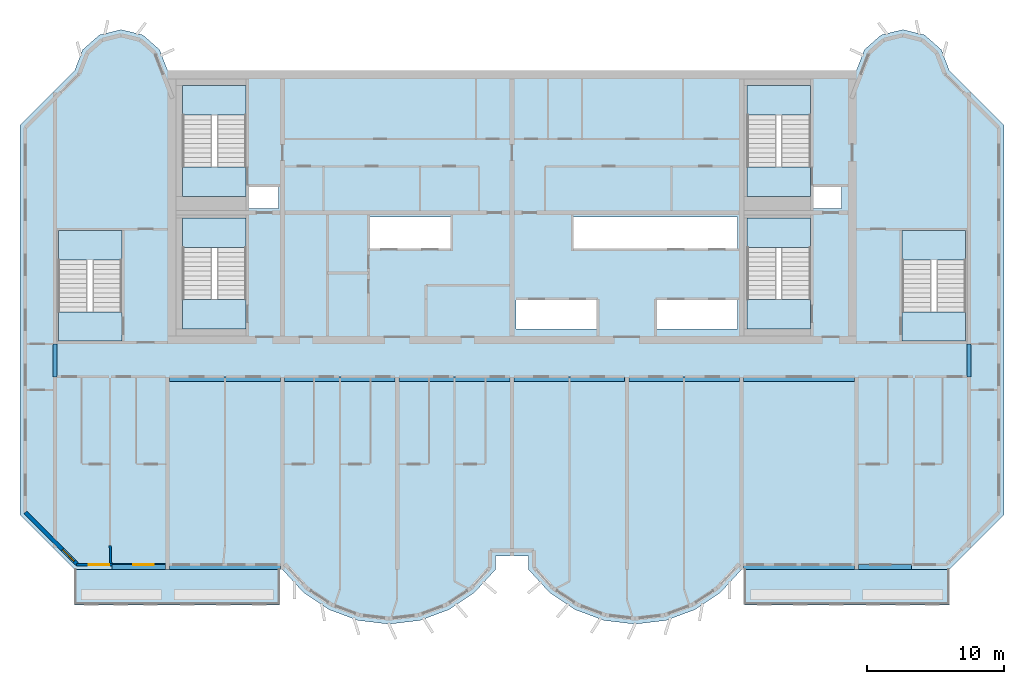
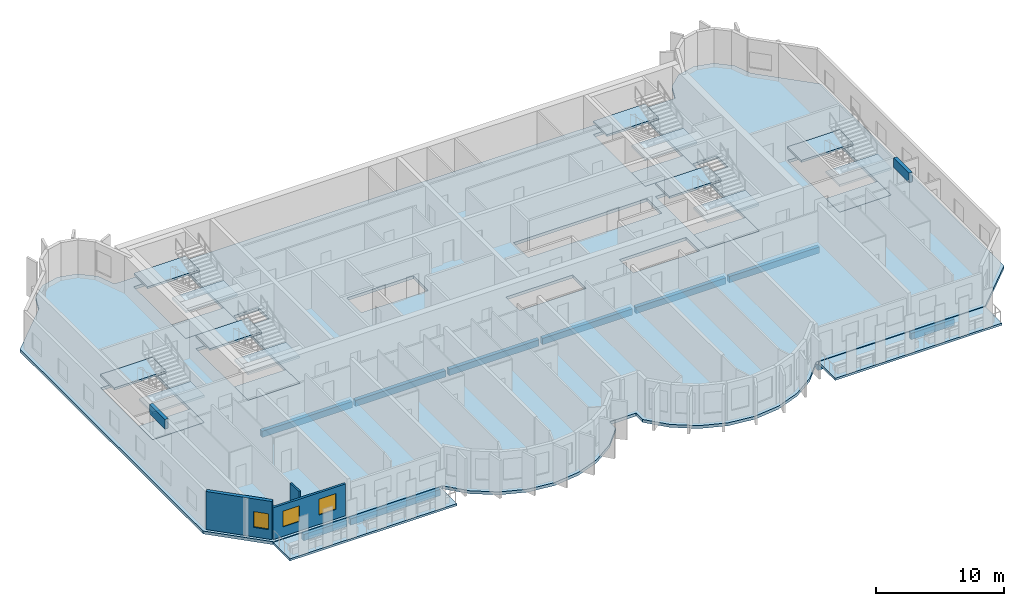
# One storey, part 1 of 11: 21 slabs, 12 beams, 3 walls, 3 windows, 3 openings, 6 elements without a shape of their own.
"""IFC4 building model written with IfcOpenShell, lengths in metres."""

from ifc_helpers import new_model, si_unit, direction, frame, frame_2d, origin, origin_2d, place, context, subcontext, project, spatial, polyline, rectangle, outline, extrude, source, transform, mapped, material, layer, layer_set, material_profile, profile_set, type_object, element, fill, aggregate, save


model = new_model("IFC4")

# Units and contexts
model_context = context("Model", 3, precision=1e-05, world=origin(), true_north=direction((0.0, 1.0)))
body_context = subcontext(model_context, "Body", "Model", "MODEL_VIEW")
ifc_project = project(units=[si_unit("LENGTHUNIT", "METRE"), si_unit("AREAUNIT", "SQUARE_METRE"), si_unit("VOLUMEUNIT", "CUBIC_METRE"), si_unit("PLANEANGLEUNIT", "RADIAN"), si_unit("MASSUNIT", "GRAM", prefix="KILO")], contexts=[model_context])

# Site, building, storey
site_placement = place(None, origin())
site = spatial("IfcSite", under=ifc_project, at=site_placement, CompositionType="ELEMENT")
building_placement = place(site_placement, origin())
building = spatial("IfcBuilding", under=site, at=building_placement, Name="Vanashikhar Sky Hotel", CompositionType="ELEMENT")
storey_placement = place(building_placement, frame((0.0, 0.0, 245.199951171875)))
storey = spatial("IfcBuildingStorey", under=building, at=storey_placement, Name="L59", CompositionType="ELEMENT", Elevation=245.199951171875)

# Beams
ifc_material_1 = material(Name="Concrete M50", Category="concrete")
ifc_material_profile_1 = material_profile(ifc_material_1, rectangle(XDim=0.300048828125, YDim=0.89990234375, at=origin_2d()))
ifc_profile_set_1 = profile_set([ifc_material_profile_1], Name="RC 300x900 beam Concrete M50")
beam_type_1 = type_object("IfcBeamType", Name="RC 300x900 beam Concrete M50", PredefinedType="LINTEL", material=ifc_profile_set_1)
shared_shape_1 = source(origin(), body_context, "Body", "SweptSolid", [
    extrude(rectangle(XDim=0.300048828125, YDim=0.89990234375, at=origin_2d()), origin(), (0.0, 0.0, 1.0), 2.39990234375),
])
for number, where, z_axis, x_axis, name in (
    (1, (16.949951171875, 19.60009765625, 3.170166015625), (0.0, 1.0, 0.0), (-1.0, 0.0, 0.0), "LB-L59-XW03"),
    (2, (83.85009765625, 19.60009765625, 3.170166015625), (0.0, 1.0, 0.0), (-1.0, 0.0, 0.0), "LB-L59-XW11"),
):
    element("IfcBeam", number, at=place(storey_placement, frame(where, z_axis=z_axis, x_axis=x_axis)), inside=storey, type_object=beam_type_1, Name=name, PredefinedType="LINTEL", context=body_context, shape_type="MappedRepresentation", body=[
        mapped(shared_shape_1, transform((0.0, 0.0, 0.0), scale=1.0)),
    ])
ifc_material_profile_2 = material_profile(ifc_material_1, rectangle(XDim=0.35009765625, YDim=0.60009765625, at=origin_2d()))
ifc_profile_set_2 = profile_set([ifc_material_profile_2], Name="RC 350x600 beam Concrete M50")
beam_type_2 = type_object("IfcBeamType", Name="RC 350x600 beam Concrete M50", PredefinedType="SPANDREL", material=ifc_profile_set_2)
shared_shape_2 = source(origin(), body_context, "Body", "SweptSolid", [
    extrude(rectangle(XDim=0.35009765625, YDim=0.60009765625, at=origin_2d()), origin(), (0.0, 0.0, 1.0), 8.099853515625),
])
for number, where, z_axis, x_axis, name in (
    (3, (25.35009765625, 5.675048828125, -0.579833984375), (1.0, 0.0, 0.0), (0.0, 1.0, 0.0), "EB-L59-F01"),
    (4, (67.35009765625, 5.675048828125, -0.579833984375), (1.0, 0.0, 0.0), (0.0, 1.0, 0.0), "EB-L59-F03"),
    (5, (25.35009765625, 19.425048828125, -0.579833984375), (1.0, 0.0, 0.0), (0.0, 1.0, 0.0), "CB-L59-01"),
    (6, (50.550048828125, 19.425048828125, -0.579833984375), (1.0, 0.0, 0.0), (0.0, 1.0, 0.0), "CB-L59-04"),
    (7, (67.35009765625, 19.425048828125, -0.579833984375), (1.0, 0.0, 0.0), (0.0, 1.0, 0.0), "CB-L59-06"),
):
    element("IfcBeam", number, at=place(storey_placement, frame(where, z_axis=z_axis, x_axis=x_axis)), inside=storey, type_object=beam_type_2, Name=name, PredefinedType="SPANDREL", context=body_context, shape_type="MappedRepresentation", body=[
        mapped(shared_shape_2, transform((0.0, 0.0, 0.0), scale=1.0)),
    ])
ifc_material_profile_3 = material_profile(ifc_material_1, rectangle(XDim=0.35009765625, YDim=0.60009765625, at=origin_2d()))
ifc_profile_set_3 = profile_set([ifc_material_profile_3], Name="RC 350x600 cantilever beam Concrete M50")
beam_type_3 = type_object("IfcBeamType", Name="RC 350x600 cantilever beam Concrete M50", PredefinedType="SPANDREL", material=ifc_profile_set_3)
shared_shape_3 = source(origin(), body_context, "Body", "SweptSolid", [
    extrude(rectangle(XDim=0.35009765625, YDim=0.60009765625, at=origin_2d()), origin(), (0.0, 0.0, 1.0), 3.900146484375),
])
beam_1_placement = place(storey_placement, frame((21.14990234375, 5.675048828125, -0.579833984375), z_axis=(1.0, 0.0, 0.0), x_axis=(0.0, 1.0, 0.0)))
element("IfcBeam", 8, at=beam_1_placement, inside=storey, type_object=beam_type_3, Name="EB-L59-F02", PredefinedType="SPANDREL", context=body_context, shape_type="MappedRepresentation", body=[
    mapped(shared_shape_3, transform((0.0, 0.0, 0.0), scale=1.0)),
])
shared_shape_4 = source(origin(), body_context, "Body", "SweptSolid", [
    extrude(rectangle(XDim=0.35009765625, YDim=0.60009765625, at=origin_2d()), origin(), (0.0, 0.0, 1.0), 3.89990234375),
])
beam_2_placement = place(storey_placement, frame((75.75, 5.675048828125, -0.579833984375), z_axis=(1.0, 0.0, 0.0), x_axis=(0.0, 1.0, 0.0)))
element("IfcBeam", 9, at=beam_2_placement, inside=storey, type_object=beam_type_3, Name="EB-L59-F04", PredefinedType="SPANDREL", context=body_context, shape_type="MappedRepresentation", body=[
    mapped(shared_shape_4, transform((0.0, 0.0, 0.0), scale=1.0)),
])
shared_shape_5 = source(origin(), body_context, "Body", "SweptSolid", [
    extrude(rectangle(XDim=0.35009765625, YDim=0.60009765625, at=origin_2d()), origin(), (0.0, 0.0, 1.0), 8.10009765625),
])
for number, where, z_axis, x_axis, name in (
    (10, (33.75, 19.425048828125, -0.579833984375), (1.0, 0.0, 0.0), (0.0, 1.0, 0.0), "CB-L59-02"),
    (11, (42.14990234375, 19.425048828125, -0.579833984375), (1.0, 0.0, 0.0), (0.0, 1.0, 0.0), "CB-L59-03"),
    (12, (58.949951171875, 19.425048828125, -0.579833984375), (1.0, 0.0, 0.0), (0.0, 1.0, 0.0), "CB-L59-05"),
):
    element("IfcBeam", number, at=place(storey_placement, frame(where, z_axis=z_axis, x_axis=x_axis)), inside=storey, type_object=beam_type_2, Name=name, PredefinedType="SPANDREL", context=body_context, shape_type="MappedRepresentation", body=[
        mapped(shared_shape_5, transform((0.0, 0.0, 0.0), scale=1.0)),
    ])

# Slabs
ifc_material_2 = material(Name="Concrete M40", Category="concrete")
ifc_layer_1 = layer(ifc_material_2, 0.280029296875)
ifc_layer_set_1 = layer_set([ifc_layer_1], Name="Floor slab 280 mm")
slab_type_1 = type_object("IfcSlabType", Name="Floor slab 280 mm", PredefinedType="FLOOR", material=ifc_layer_set_1)
shared_shape_6 = source(origin(), body_context, "Body", "SweptSolid", [
    extrude(outline(polyline([(49.199951171875, 5.5), (49.199951171875, 6.5), (51.60009765625, 6.5), (51.60009765625, 5.5), (53.133056640625, 3.825927734375), (55.01708984375, 2.55810546875), (57.14599609375, 1.76806640625), (59.39990234375, 1.5), (61.654052734375, 1.76806640625), (63.782958984375, 2.55810546875), (65.6669921875, 3.825927734375), (67.199951171875, 5.5), (82.39990234375, 5.5), (86.39990234375, 9.5), (86.39990234375, 38.0), (82.39990234375, 42.0), (81.81494140625, 43.527099609375), (80.587890625, 44.610107421875), (79.0, 45.0), (77.412109375, 44.610107421875), (76.18505859375, 43.527099609375), (75.60009765625, 42.0), (25.199951171875, 42.0), (24.614990234375, 43.527099609375), (23.387939453125, 44.610107421875), (21.800048828125, 45.0), (20.2119140625, 44.610107421875), (18.985107421875, 43.527099609375), (18.39990234375, 42.0), (14.39990234375, 38.0), (14.39990234375, 9.5), (18.39990234375, 5.5), (33.60009765625, 5.5), (35.133056640625, 3.825927734375), (37.01708984375, 2.55810546875), (39.14599609375, 1.76806640625), (41.39990234375, 1.5), (43.654052734375, 1.76806640625), (45.782958984375, 2.55810546875), (47.6669921875, 3.825927734375), (49.199951171875, 5.5)]), holes=[polyline([(33.300048828125, 33.60009765625), (31.050048828125, 33.60009765625), (31.050048828125, 31.89990234375), (33.300048828125, 31.89990234375), (33.300048828125, 33.60009765625)]), polyline([(39.89990234375, 31.300048828125), (39.89990234375, 29.0), (45.89990234375, 29.0), (45.89990234375, 31.300048828125), (39.89990234375, 31.300048828125)]), polyline([(50.699951171875, 25.199951171875), (50.699951171875, 23.10009765625), (56.699951171875, 23.10009765625), (56.699951171875, 25.199951171875), (50.699951171875, 25.199951171875)]), polyline([(66.89990234375, 29.0), (66.89990234375, 31.300048828125), (54.89990234375, 31.300048828125), (54.89990234375, 29.0), (66.89990234375, 29.0)]), polyline([(60.89990234375, 25.199951171875), (60.89990234375, 23.10009765625), (66.89990234375, 23.10009765625), (66.89990234375, 25.199951171875), (60.89990234375, 25.199951171875)]), polyline([(74.5, 33.60009765625), (72.35009765625, 33.60009765625), (72.35009765625, 31.89990234375), (74.5, 31.89990234375), (74.5, 33.60009765625)]), polyline([(30.949951171875, 23.10009765625), (30.949951171875, 31.199951171875), (26.300048828125, 31.199951171875), (26.300048828125, 23.10009765625), (30.949951171875, 23.10009765625)]), polyline([(72.25, 23.10009765625), (72.25, 31.199951171875), (67.60009765625, 31.199951171875), (67.60009765625, 23.10009765625), (72.25, 23.10009765625)]), polyline([(30.949951171875, 32.800048828125), (30.949951171875, 40.89990234375), (26.300048828125, 40.89990234375), (26.300048828125, 32.800048828125), (30.949951171875, 32.800048828125)]), polyline([(72.25, 32.800048828125), (72.25, 40.89990234375), (67.60009765625, 40.89990234375), (67.60009765625, 32.800048828125), (72.25, 32.800048828125)]), polyline([(83.60009765625, 22.199951171875), (83.60009765625, 30.300048828125), (78.949951171875, 30.300048828125), (78.949951171875, 22.199951171875), (83.60009765625, 22.199951171875)]), polyline([(21.85009765625, 22.199951171875), (21.85009765625, 30.300048828125), (17.199951171875, 30.300048828125), (17.199951171875, 22.199951171875), (21.85009765625, 22.199951171875)])]), origin(), (0.0, 0.0, 1.0), 0.280029296875),
])
slab_1_placement = place(storey_placement, frame((0.0, 0.0, -0.280029296875)))
element("IfcSlab", 13, at=slab_1_placement, inside=storey, type_object=slab_type_1, Name="Floor slab L59", PredefinedType="FLOOR", context=body_context, shape_type="MappedRepresentation", body=[
    mapped(shared_shape_6, transform((0.0, 0.0, 0.0), scale=1.0)),
])
ifc_layer_2 = layer(ifc_material_2, 0.199951171875)
ifc_layer_set_2 = layer_set([ifc_layer_2], Name="Balcony slab 200 mm")
slab_type_2 = type_object("IfcSlabType", Name="Balcony slab 200 mm", PredefinedType="USERDEFINED", material=ifc_layer_set_2)
shared_shape_7 = source(origin(), body_context, "Body", "SweptSolid", [
    extrude(outline(polyline([(18.39990234375, 2.89990234375), (33.39990234375, 2.89990234375), (33.39990234375, 5.5), (18.39990234375, 5.5), (18.39990234375, 2.89990234375)])), origin(), (0.0, 0.0, 1.0), 0.199951171875),
])
slab_2_placement = place(storey_placement, frame((0.0, 0.0, -0.25)))
element("IfcSlab", 14, at=slab_2_placement, inside=storey, type_object=slab_type_2, Name="Balcony slab L59 1", ObjectType="BALCONY", PredefinedType="USERDEFINED", context=body_context, shape_type="MappedRepresentation", body=[
    mapped(shared_shape_7, transform((0.0, 0.0, 0.0), scale=1.0)),
])
shared_shape_8 = source(origin(), body_context, "Body", "SweptSolid", [
    extrude(outline(polyline([(67.39990234375, 2.89990234375), (82.39990234375, 2.89990234375), (82.39990234375, 5.5), (67.39990234375, 5.5), (67.39990234375, 2.89990234375)])), origin(), (0.0, 0.0, 1.0), 0.199951171875),
])
slab_3_placement = place(storey_placement, frame((0.0, 0.0, -0.25)))
element("IfcSlab", 15, at=slab_3_placement, inside=storey, type_object=slab_type_2, Name="Balcony slab L59 2", ObjectType="BALCONY", PredefinedType="USERDEFINED", context=body_context, shape_type="MappedRepresentation", body=[
    mapped(shared_shape_8, transform((0.0, 0.0, 0.0), scale=1.0)),
])

# Stair, slabs
stair_type = type_object("IfcStairType", Name="Exit stair 2150", PredefinedType="DOUBLE_RETURN_STAIR", material=ifc_material_2)
stair_1_placement = place(storey_placement, origin())
stair_1 = element("IfcStair", 16, at=stair_1_placement, inside=storey, type_object=stair_type, Name="L59 Exit stair 1", PredefinedType="DOUBLE_RETURN_STAIR")
ifc_layer_3 = layer(ifc_material_2, 0.199951171875)
ifc_layer_set_3 = layer_set([ifc_layer_3], Name="Stair landing 200")
slab_type_3 = type_object("IfcSlabType", Name="Stair landing 200", PredefinedType="LANDING", material=ifc_layer_set_3)
shared_shape_9 = source(origin(), body_context, "Body", "SweptSolid", [
    extrude(outline(polyline([(30.949951171875, 29.050048828125), (30.949951171875, 31.199951171875), (26.300048828125, 31.199951171875), (26.300048828125, 29.050048828125), (30.949951171875, 29.050048828125)])), origin(), (0.0, 0.0, 1.0), 0.199951171875),
])
slab_4_placement = place(storey_placement, frame((0.0, 0.0, 1.10009765625)))
slab_4 = element("IfcSlab", 17, at=slab_4_placement, type_object=slab_type_3, Name="ST-C1 landing 1", PredefinedType="LANDING", context=body_context, shape_type="MappedRepresentation", body=[
    mapped(shared_shape_9, transform((0.0, 0.0, 0.0), scale=1.0)),
])
shared_shape_10 = source(origin(), body_context, "Body", "SweptSolid", [
    extrude(outline(polyline([(30.949951171875, 23.10009765625), (30.949951171875, 25.25), (26.300048828125, 25.25), (26.300048828125, 23.10009765625), (30.949951171875, 23.10009765625)])), origin(), (0.0, 0.0, 1.0), 0.199951171875),
])
slab_5_placement = place(storey_placement, frame((0.0, 0.0, 2.400146484375)))
slab_5 = element("IfcSlab", 18, at=slab_5_placement, type_object=slab_type_3, Name="ST-C1 landing 2", PredefinedType="LANDING", context=body_context, shape_type="MappedRepresentation", body=[
    mapped(shared_shape_10, transform((0.0, 0.0, 0.0), scale=1.0)),
])
aggregate(stair_1, [slab_4, slab_5])

# Slab
ifc_layer_4 = layer(ifc_material_2, 0.280029296875)
ifc_layer_set_4 = layer_set([ifc_layer_4], Name="Stair floor landing 280")
slab_type_4 = type_object("IfcSlabType", Name="Stair floor landing 280", PredefinedType="LANDING", material=ifc_layer_set_4)
shared_shape_11 = source(origin(), body_context, "Body", "SweptSolid", [
    extrude(outline(polyline([(30.949951171875, 23.10009765625), (30.949951171875, 25.25), (26.300048828125, 25.25), (26.300048828125, 23.10009765625), (30.949951171875, 23.10009765625)])), origin(), (0.0, 0.0, 1.0), 0.280029296875),
])
slab_6_placement = place(storey_placement, frame((0.0, 0.0, -0.280029296875)))
element("IfcSlab", 19, at=slab_6_placement, inside=storey, type_object=slab_type_4, Name="Exit stair 1 floor landing", PredefinedType="LANDING", context=body_context, shape_type="MappedRepresentation", body=[
    mapped(shared_shape_11, transform((0.0, 0.0, 0.0), scale=1.0)),
])

# Stair, slabs
stair_2_placement = place(storey_placement, origin())
stair_2 = element("IfcStair", 20, at=stair_2_placement, inside=storey, type_object=stair_type, Name="L59 Exit stair 2", PredefinedType="DOUBLE_RETURN_STAIR")
shared_shape_12 = source(origin(), body_context, "Body", "SweptSolid", [
    extrude(outline(polyline([(72.25, 29.050048828125), (72.25, 31.199951171875), (67.60009765625, 31.199951171875), (67.60009765625, 29.050048828125), (72.25, 29.050048828125)])), origin(), (0.0, 0.0, 1.0), 0.199951171875),
])
slab_7_placement = place(storey_placement, frame((0.0, 0.0, 1.10009765625)))
slab_7 = element("IfcSlab", 21, at=slab_7_placement, type_object=slab_type_3, Name="ST-C2 landing 1", PredefinedType="LANDING", context=body_context, shape_type="MappedRepresentation", body=[
    mapped(shared_shape_12, transform((0.0, 0.0, 0.0), scale=1.0)),
])
shared_shape_13 = source(origin(), body_context, "Body", "SweptSolid", [
    extrude(outline(polyline([(72.25, 23.10009765625), (72.25, 25.25), (67.60009765625, 25.25), (67.60009765625, 23.10009765625), (72.25, 23.10009765625)])), origin(), (0.0, 0.0, 1.0), 0.199951171875),
])
slab_8_placement = place(storey_placement, frame((0.0, 0.0, 2.400146484375)))
slab_8 = element("IfcSlab", 22, at=slab_8_placement, type_object=slab_type_3, Name="ST-C2 landing 2", PredefinedType="LANDING", context=body_context, shape_type="MappedRepresentation", body=[
    mapped(shared_shape_13, transform((0.0, 0.0, 0.0), scale=1.0)),
])
aggregate(stair_2, [slab_7, slab_8])

# Slab
shared_shape_14 = source(origin(), body_context, "Body", "SweptSolid", [
    extrude(outline(polyline([(72.25, 23.10009765625), (72.25, 25.25), (67.60009765625, 25.25), (67.60009765625, 23.10009765625), (72.25, 23.10009765625)])), origin(), (0.0, 0.0, 1.0), 0.280029296875),
])
slab_9_placement = place(storey_placement, frame((0.0, 0.0, -0.280029296875)))
element("IfcSlab", 23, at=slab_9_placement, inside=storey, type_object=slab_type_4, Name="Exit stair 2 floor landing", PredefinedType="LANDING", context=body_context, shape_type="MappedRepresentation", body=[
    mapped(shared_shape_14, transform((0.0, 0.0, 0.0), scale=1.0)),
])

# Stair, slabs
stair_3_placement = place(storey_placement, origin())
stair_3 = element("IfcStair", 24, at=stair_3_placement, inside=storey, type_object=stair_type, Name="L59 Exit stair 3", PredefinedType="DOUBLE_RETURN_STAIR")
shared_shape_15 = source(origin(), body_context, "Body", "SweptSolid", [
    extrude(outline(polyline([(21.85009765625, 28.14990234375), (21.85009765625, 30.300048828125), (17.199951171875, 30.300048828125), (17.199951171875, 28.14990234375), (21.85009765625, 28.14990234375)])), origin(), (0.0, 0.0, 1.0), 0.199951171875),
])
slab_10_placement = place(storey_placement, frame((0.0, 0.0, 1.10009765625)))
slab_10 = element("IfcSlab", 25, at=slab_10_placement, type_object=slab_type_3, Name="ST-W landing 1", PredefinedType="LANDING", context=body_context, shape_type="MappedRepresentation", body=[
    mapped(shared_shape_15, transform((0.0, 0.0, 0.0), scale=1.0)),
])
shared_shape_16 = source(origin(), body_context, "Body", "SweptSolid", [
    extrude(outline(polyline([(21.85009765625, 22.199951171875), (21.85009765625, 24.35009765625), (17.199951171875, 24.35009765625), (17.199951171875, 22.199951171875), (21.85009765625, 22.199951171875)])), origin(), (0.0, 0.0, 1.0), 0.199951171875),
])
slab_11_placement = place(storey_placement, frame((0.0, 0.0, 2.400146484375)))
slab_11 = element("IfcSlab", 26, at=slab_11_placement, type_object=slab_type_3, Name="ST-W landing 2", PredefinedType="LANDING", context=body_context, shape_type="MappedRepresentation", body=[
    mapped(shared_shape_16, transform((0.0, 0.0, 0.0), scale=1.0)),
])
aggregate(stair_3, [slab_10, slab_11])

# Slab
shared_shape_17 = source(origin(), body_context, "Body", "SweptSolid", [
    extrude(outline(polyline([(21.85009765625, 22.199951171875), (21.85009765625, 24.35009765625), (17.199951171875, 24.35009765625), (17.199951171875, 22.199951171875), (21.85009765625, 22.199951171875)])), origin(), (0.0, 0.0, 1.0), 0.280029296875),
])
slab_12_placement = place(storey_placement, frame((0.0, 0.0, -0.280029296875)))
element("IfcSlab", 27, at=slab_12_placement, inside=storey, type_object=slab_type_4, Name="Exit stair 3 floor landing", PredefinedType="LANDING", context=body_context, shape_type="MappedRepresentation", body=[
    mapped(shared_shape_17, transform((0.0, 0.0, 0.0), scale=1.0)),
])

# Stair, slabs
stair_4_placement = place(storey_placement, origin())
stair_4 = element("IfcStair", 28, at=stair_4_placement, inside=storey, type_object=stair_type, Name="L59 Exit stair 4", PredefinedType="DOUBLE_RETURN_STAIR")
shared_shape_18 = source(origin(), body_context, "Body", "SweptSolid", [
    extrude(outline(polyline([(83.60009765625, 28.14990234375), (83.60009765625, 30.300048828125), (78.949951171875, 30.300048828125), (78.949951171875, 28.14990234375), (83.60009765625, 28.14990234375)])), origin(), (0.0, 0.0, 1.0), 0.199951171875),
])
slab_13_placement = place(storey_placement, frame((0.0, 0.0, 1.10009765625)))
slab_13 = element("IfcSlab", 29, at=slab_13_placement, type_object=slab_type_3, Name="ST-E landing 1", PredefinedType="LANDING", context=body_context, shape_type="MappedRepresentation", body=[
    mapped(shared_shape_18, transform((0.0, 0.0, 0.0), scale=1.0)),
])
shared_shape_19 = source(origin(), body_context, "Body", "SweptSolid", [
    extrude(outline(polyline([(83.60009765625, 22.199951171875), (83.60009765625, 24.35009765625), (78.949951171875, 24.35009765625), (78.949951171875, 22.199951171875), (83.60009765625, 22.199951171875)])), origin(), (0.0, 0.0, 1.0), 0.199951171875),
])
slab_14_placement = place(storey_placement, frame((0.0, 0.0, 2.400146484375)))
slab_14 = element("IfcSlab", 30, at=slab_14_placement, type_object=slab_type_3, Name="ST-E landing 2", PredefinedType="LANDING", context=body_context, shape_type="MappedRepresentation", body=[
    mapped(shared_shape_19, transform((0.0, 0.0, 0.0), scale=1.0)),
])
aggregate(stair_4, [slab_13, slab_14])

# Slab
shared_shape_20 = source(origin(), body_context, "Body", "SweptSolid", [
    extrude(outline(polyline([(83.60009765625, 22.199951171875), (83.60009765625, 24.35009765625), (78.949951171875, 24.35009765625), (78.949951171875, 22.199951171875), (83.60009765625, 22.199951171875)])), origin(), (0.0, 0.0, 1.0), 0.280029296875),
])
slab_15_placement = place(storey_placement, frame((0.0, 0.0, -0.280029296875)))
element("IfcSlab", 31, at=slab_15_placement, inside=storey, type_object=slab_type_4, Name="Exit stair 4 floor landing", PredefinedType="LANDING", context=body_context, shape_type="MappedRepresentation", body=[
    mapped(shared_shape_20, transform((0.0, 0.0, 0.0), scale=1.0)),
])

# Stair, slabs
stair_5_placement = place(storey_placement, origin())
stair_5 = element("IfcStair", 32, at=stair_5_placement, inside=storey, type_object=stair_type, Name="L59 Exit stair 5", PredefinedType="DOUBLE_RETURN_STAIR")
shared_shape_21 = source(origin(), body_context, "Body", "SweptSolid", [
    extrude(outline(polyline([(30.949951171875, 38.75), (30.949951171875, 40.89990234375), (26.300048828125, 40.89990234375), (26.300048828125, 38.75), (30.949951171875, 38.75)])), origin(), (0.0, 0.0, 1.0), 0.199951171875),
])
slab_16_placement = place(storey_placement, frame((0.0, 0.0, 1.10009765625)))
slab_16 = element("IfcSlab", 33, at=slab_16_placement, type_object=slab_type_3, Name="ST-C3 landing 1", PredefinedType="LANDING", context=body_context, shape_type="MappedRepresentation", body=[
    mapped(shared_shape_21, transform((0.0, 0.0, 0.0), scale=1.0)),
])
shared_shape_22 = source(origin(), body_context, "Body", "SweptSolid", [
    extrude(outline(polyline([(30.949951171875, 32.800048828125), (30.949951171875, 34.949951171875), (26.300048828125, 34.949951171875), (26.300048828125, 32.800048828125), (30.949951171875, 32.800048828125)])), origin(), (0.0, 0.0, 1.0), 0.199951171875),
])
slab_17_placement = place(storey_placement, frame((0.0, 0.0, 2.400146484375)))
slab_17 = element("IfcSlab", 34, at=slab_17_placement, type_object=slab_type_3, Name="ST-C3 landing 2", PredefinedType="LANDING", context=body_context, shape_type="MappedRepresentation", body=[
    mapped(shared_shape_22, transform((0.0, 0.0, 0.0), scale=1.0)),
])
aggregate(stair_5, [slab_16, slab_17])

# Slab
shared_shape_23 = source(origin(), body_context, "Body", "SweptSolid", [
    extrude(outline(polyline([(30.949951171875, 32.800048828125), (30.949951171875, 34.949951171875), (26.300048828125, 34.949951171875), (26.300048828125, 32.800048828125), (30.949951171875, 32.800048828125)])), origin(), (0.0, 0.0, 1.0), 0.280029296875),
])
slab_18_placement = place(storey_placement, frame((0.0, 0.0, -0.280029296875)))
element("IfcSlab", 35, at=slab_18_placement, inside=storey, type_object=slab_type_4, Name="Exit stair 5 floor landing", PredefinedType="LANDING", context=body_context, shape_type="MappedRepresentation", body=[
    mapped(shared_shape_23, transform((0.0, 0.0, 0.0), scale=1.0)),
])

# Stair, slabs
stair_6_placement = place(storey_placement, origin())
stair_6 = element("IfcStair", 36, at=stair_6_placement, inside=storey, type_object=stair_type, Name="L59 Exit stair 6", PredefinedType="DOUBLE_RETURN_STAIR")
shared_shape_24 = source(origin(), body_context, "Body", "SweptSolid", [
    extrude(outline(polyline([(72.25, 38.75), (72.25, 40.89990234375), (67.60009765625, 40.89990234375), (67.60009765625, 38.75), (72.25, 38.75)])), origin(), (0.0, 0.0, 1.0), 0.199951171875),
])
slab_19_placement = place(storey_placement, frame((0.0, 0.0, 1.10009765625)))
slab_19 = element("IfcSlab", 37, at=slab_19_placement, type_object=slab_type_3, Name="ST-C4 landing 1", PredefinedType="LANDING", context=body_context, shape_type="MappedRepresentation", body=[
    mapped(shared_shape_24, transform((0.0, 0.0, 0.0), scale=1.0)),
])
shared_shape_25 = source(origin(), body_context, "Body", "SweptSolid", [
    extrude(outline(polyline([(72.25, 32.800048828125), (72.25, 34.949951171875), (67.60009765625, 34.949951171875), (67.60009765625, 32.800048828125), (72.25, 32.800048828125)])), origin(), (0.0, 0.0, 1.0), 0.199951171875),
])
slab_20_placement = place(storey_placement, frame((0.0, 0.0, 2.400146484375)))
slab_20 = element("IfcSlab", 38, at=slab_20_placement, type_object=slab_type_3, Name="ST-C4 landing 2", PredefinedType="LANDING", context=body_context, shape_type="MappedRepresentation", body=[
    mapped(shared_shape_25, transform((0.0, 0.0, 0.0), scale=1.0)),
])
aggregate(stair_6, [slab_19, slab_20])

# Slab
shared_shape_26 = source(origin(), body_context, "Body", "SweptSolid", [
    extrude(outline(polyline([(72.25, 32.800048828125), (72.25, 34.949951171875), (67.60009765625, 34.949951171875), (67.60009765625, 32.800048828125), (72.25, 32.800048828125)])), origin(), (0.0, 0.0, 1.0), 0.280029296875),
])
slab_21_placement = place(storey_placement, frame((0.0, 0.0, -0.280029296875)))
element("IfcSlab", 39, at=slab_21_placement, inside=storey, type_object=slab_type_4, Name="Exit stair 6 floor landing", PredefinedType="LANDING", context=body_context, shape_type="MappedRepresentation", body=[
    mapped(shared_shape_26, transform((0.0, 0.0, 0.0), scale=1.0)),
])

# Wall, openings, windows
ifc_layer_5 = layer(ifc_material_1, 0.199951171875)
ifc_layer_set_5 = layer_set([ifc_layer_5], Name="Front window wall 200")
wall_type_1 = type_object("IfcWallType", Name="Front window wall 200", PredefinedType="SOLIDWALL", material=ifc_layer_set_5)
shared_shape_27 = source(origin(), body_context, "Body", "SweptSolid", [
    extrude(rectangle(XDim=6.505126953125, YDim=0.199951171875, at=frame_2d((3.25244140625, 0.0))), origin(), (0.0, 0.0, 1.0), 3.02001953125),
])
wall_1_placement = place(storey_placement, frame((18.544921875, 5.85009765625, 0.0), z_axis=(0.0, 0.0, 1.0), x_axis=(1.0, 0.0, 0.0)))
wall_1 = element("IfcWall", 40, at=wall_1_placement, inside=storey, type_object=wall_type_1, Name="Front window wall", PredefinedType="SOLIDWALL", context=body_context, shape_type="MappedRepresentation", body=[
    mapped(shared_shape_27, transform((0.0, 0.0, 0.0), scale=1.0)),
])
shared_shape_28 = source(origin(), body_context, "Body", "SweptSolid", [
    extrude(rectangle(XDim=1.5, YDim=1.5, at=frame_2d((0.75, 0.75))), frame((0.0, 0.10986328125, 0.0), z_axis=(0.0, -1.0, 0.0), x_axis=(1.0, 0.0, 0.0)), (0.0, 0.0, 1.0), 0.219970703125),
])
opening_1_placement = place(wall_1_placement, frame((0.876220703125, 0.0, 0.89990234375)))
opening_1 = element("IfcOpeningElement", 41, at=opening_1_placement, cuts=wall_1, Name="Opening WN-1", PredefinedType="OPENING", context=body_context, shape_type="MappedRepresentation", body=[
    mapped(shared_shape_28, transform((0.0, 0.0, 0.0), scale=1.0)),
])
opening_2_placement = place(wall_1_placement, frame((4.128662109375, 0.0, 0.89990234375)))
opening_2 = element("IfcOpeningElement", 42, at=opening_2_placement, cuts=wall_1, Name="Opening WN-1", PredefinedType="OPENING", context=body_context, shape_type="MappedRepresentation", body=[
    mapped(shared_shape_28, transform((0.0, 0.0, 0.0), scale=1.0)),
])
ifc_material_3 = material(Name="Glass", Category="glass")
window_type_1 = type_object("IfcWindowType", Name="Window 1500 x 1500", PartitioningType="SINGLE_PANEL", PredefinedType="WINDOW", material=ifc_material_3)
shared_shape_29 = source(origin(), body_context, "Body", "SweptSolid", [
    extrude(rectangle(XDim=1.5, YDim=1.5, at=frame_2d((0.75, 0.75))), frame((0.0, 0.030029296875, 0.0), z_axis=(0.0, -1.0, 0.0), x_axis=(1.0, 0.0, 0.0)), (0.0, 0.0, 1.0), 0.06005859375),
])
window_1_placement = place(opening_1_placement, origin())
window_1 = element("IfcWindow", 43, at=window_1_placement, inside=storey, type_object=window_type_1, Name="Window WN-1", OverallHeight=1.5, OverallWidth=1.5, PartitioningType="SINGLE_PANEL", PredefinedType="WINDOW", context=body_context, shape_type="MappedRepresentation", body=[
    mapped(shared_shape_29, transform((0.0, 0.0, 0.0), scale=1.0)),
])
fill(opening_1, window_1)
window_2_placement = place(opening_2_placement, origin())
window_2 = element("IfcWindow", 44, at=window_2_placement, inside=storey, type_object=window_type_1, Name="Window WN-1", OverallHeight=1.5, OverallWidth=1.5, PartitioningType="SINGLE_PANEL", PredefinedType="WINDOW", context=body_context, shape_type="MappedRepresentation", body=[
    mapped(shared_shape_29, transform((0.0, 0.0, 0.0), scale=1.0)),
])
fill(opening_2, window_2)

# Wall, opening, window
ifc_layer_6 = layer(ifc_material_1, 0.300048828125)
ifc_layer_set_6 = layer_set([ifc_layer_6], Name="Lobe wall 300")
wall_type_2 = type_object("IfcWallType", Name="Lobe wall 300", PredefinedType="SOLIDWALL", material=ifc_layer_set_6)
shared_shape_30 = source(origin(), body_context, "Body", "SweptSolid", [
    extrude(rectangle(XDim=5.32568359375, YDim=0.300048828125, at=frame_2d((2.662841796875, 0.0))), origin(), (0.0, 0.0, 1.0), 3.6201171875),
])
wall_2_placement = place(storey_placement, frame((14.800048828125, 9.665771484375, 0.0), z_axis=(0.0, 0.0, 1.0), x_axis=(0.707083859269, -0.707129702361, 0.0)))
wall_2 = element("IfcWall", 45, at=wall_2_placement, inside=storey, type_object=wall_type_2, Name="Corner wall", PredefinedType="SOLIDWALL", context=body_context, shape_type="MappedRepresentation", body=[
    mapped(shared_shape_30, transform((0.0, 0.0, 0.0), scale=1.0)),
])
shared_shape_31 = source(origin(), body_context, "Body", "SweptSolid", [
    extrude(rectangle(XDim=1.199951171875, YDim=1.5, at=frame_2d((0.60009765625, 0.75))), frame((0.0, 0.16015625, 0.0), z_axis=(0.0, -1.0, 0.0), x_axis=(1.0, 0.0, 0.0)), (0.0, 0.0, 1.0), 0.320068359375),
])
opening_3_placement = place(wall_2_placement, frame((3.8330078125, 0.0, 0.89990234375)))
opening_3 = element("IfcOpeningElement", 46, at=opening_3_placement, cuts=wall_2, Name="Opening WN-3", PredefinedType="OPENING", context=body_context, shape_type="MappedRepresentation", body=[
    mapped(shared_shape_31, transform((0.0, 0.0, 0.0), scale=1.0)),
])
window_type_2 = type_object("IfcWindowType", Name="Corridor end window 1200 x 1500", PartitioningType="SINGLE_PANEL", PredefinedType="WINDOW", material=ifc_material_3)
shared_shape_32 = source(origin(), body_context, "Body", "SweptSolid", [
    extrude(rectangle(XDim=1.199951171875, YDim=1.5, at=frame_2d((0.60009765625, 0.75))), frame((0.0, 0.030029296875, 0.0), z_axis=(0.0, -1.0, 0.0), x_axis=(1.0, 0.0, 0.0)), (0.0, 0.0, 1.0), 0.06005859375),
])
window_3_placement = place(opening_3_placement, origin())
window_3 = element("IfcWindow", 47, at=window_3_placement, inside=storey, type_object=window_type_2, Name="Window WN-3", OverallHeight=1.5, OverallWidth=1.199951171875, PartitioningType="SINGLE_PANEL", PredefinedType="WINDOW", context=body_context, shape_type="MappedRepresentation", body=[
    mapped(shared_shape_32, transform((0.0, 0.0, 0.0), scale=1.0)),
])
fill(opening_3, window_3)

# Wall
ifc_material_4 = material(Name="Gypsum plasterboard partition")
ifc_layer_7 = layer(ifc_material_4, 0.14990234375)
ifc_layer_set_7 = layer_set([ifc_layer_7], Name="Corridor and demising partition 150")
wall_type_3 = type_object("IfcWallType", Name="Corridor and demising partition 150", PredefinedType="PARTITIONING", material=ifc_layer_set_7)
shared_shape_33 = source(origin(), body_context, "Body", "SweptSolid", [
    extrude(rectangle(XDim=1.30078125, YDim=0.14990234375, at=frame_2d((0.650390625, 0.0))), origin(), (0.0, 0.0, 1.0), 3.6201171875),
])
wall_3_placement = place(storey_placement, frame((21.041015625, 5.949951171875, 0.0), z_axis=(0.0, 0.0, 1.0), x_axis=(-0.031533606063, 0.999502692187, 0.0)))
element("IfcWall", 48, at=wall_3_placement, inside=storey, type_object=wall_type_3, Name="W-L59-PW007B0", PredefinedType="PARTITIONING", context=body_context, shape_type="MappedRepresentation", body=[
    mapped(shared_shape_33, transform((0.0, 0.0, 0.0), scale=1.0)),
])

save(model, "model.ifc")
